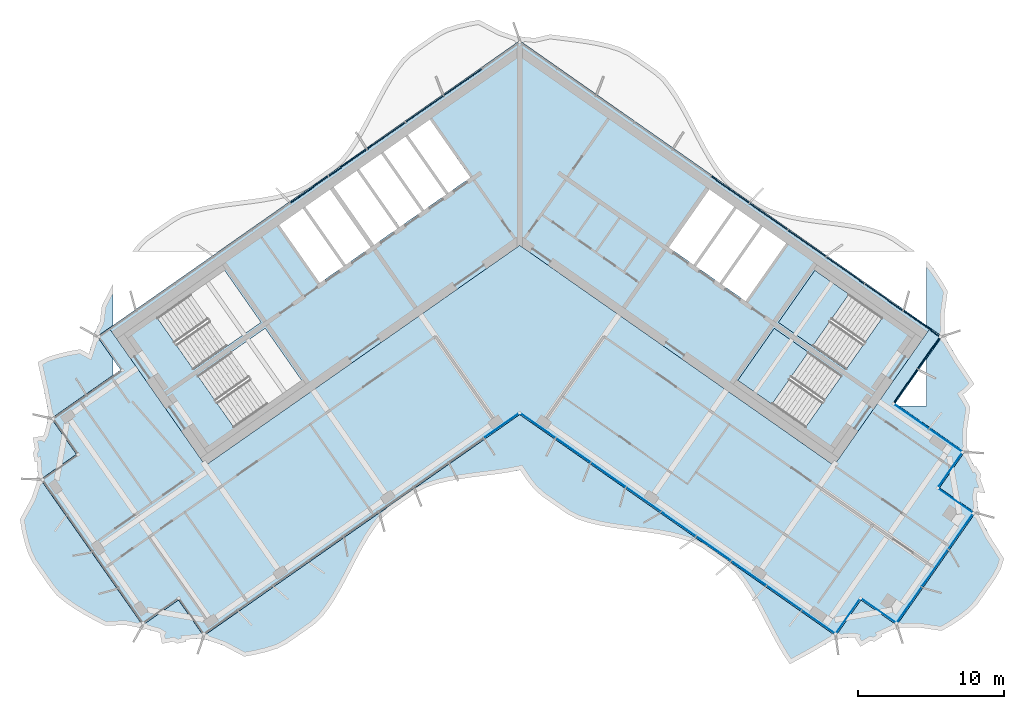
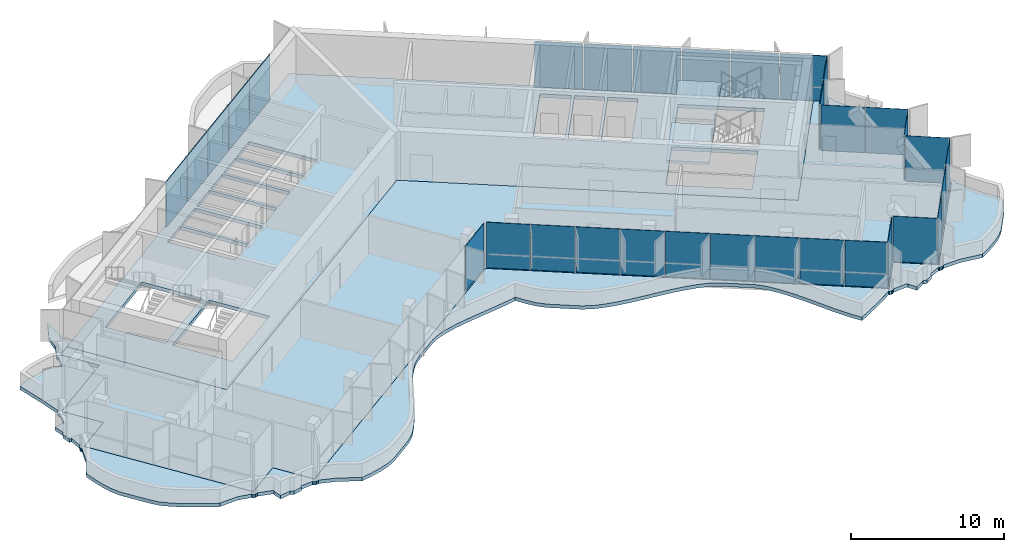
# One storey, part 8 of 18: 32 plates, 5 slabs, 4 elements without a shape of their own.
"""IFC4 building model written with IfcOpenShell, lengths in metres."""

from ifc_helpers import new_model, si_unit, direction, frame, origin, origin_2d, place, context, subcontext, project, spatial, polyline, rectangle, outline, extrude, material, layer, layer_set, type_object, element, aggregate, save


model = new_model("IFC4")

# Units and contexts
model_context = context("Model", 3, precision=1e-05, world=origin(), true_north=direction((0.0, 1.0)))
body_context = subcontext(model_context, "Body", "Model", "MODEL_VIEW")
ifc_project = project(units=[si_unit("LENGTHUNIT", "METRE"), si_unit("AREAUNIT", "SQUARE_METRE"), si_unit("VOLUMEUNIT", "CUBIC_METRE"), si_unit("PLANEANGLEUNIT", "RADIAN"), si_unit("MASSUNIT", "GRAM", prefix="KILO")], contexts=[model_context])

# Site, building, storey
site_placement = place(None, origin())
site = spatial("IfcSite", under=ifc_project, at=site_placement, CompositionType="ELEMENT")
building_placement = place(site_placement, origin())
building = spatial("IfcBuilding", under=site, at=building_placement, Name="Tel Ilan Convention Tower", CompositionType="ELEMENT")
storey_placement = place(building_placement, frame((0.0, 0.0, 268.300048828125)))
storey = spatial("IfcBuildingStorey", under=building, at=storey_placement, Name="L63", CompositionType="ELEMENT", Elevation=268.300048828125)

# Curtain wall, plates
ifc_material_1 = material(Name="Aluminium, bronze anodised", Category="aluminium")
curtain_wall_type_1 = type_object("IfcCurtainWallType", Name="CW2 STICK CURTAIN WALL, SPANDREL PANELS", PredefinedType="NOTDEFINED", material=ifc_material_1)
curtain_wall_1_placement = place(storey_placement, origin())
curtain_wall_1 = element("IfcCurtainWall", 1, at=curtain_wall_1_placement, inside=storey, type_object=curtain_wall_type_1, Name="Curtain wall CW2-48.01", PredefinedType="NOTDEFINED")
ifc_material_2 = material(Name="Aluminium composite panel, bronze anodised", Category="aluminium")
ifc_layer_1 = layer(ifc_material_2, 0.06005859375)
ifc_layer_set_1 = layer_set([ifc_layer_1], Name="CW SPANDREL PANEL 60")
plate_type_1 = type_object("IfcPlateType", Name="CW SPANDREL PANEL 60", PredefinedType="CURTAIN_PANEL", material=ifc_layer_set_1)
plate_1_placement = place(storey_placement, frame((26.45947265625, -10.85400390625, 0.0), z_axis=(0.0, 0.0, 1.0), x_axis=(0.573576436351, 0.819152044289, 0.0)))
plate_1 = element("IfcPlate", 2, at=plate_1_placement, type_object=plate_type_1, Name="Spandrel panel", PredefinedType="CURTAIN_PANEL", context=body_context, shape_type="SweptSolid", body=[
    extrude(rectangle(XDim=2.76904296875, YDim=0.06005859375, at=origin_2d()), origin(), (0.0, 0.0, 1.0), 3.6201171875),
])
plate_2_placement = place(storey_placement, frame((28.042236328125, -8.593505859375, 0.0), z_axis=(0.0, 0.0, 1.0), x_axis=(0.573576436351, 0.819152044289, 0.0)))
plate_2 = element("IfcPlate", 3, at=plate_2_placement, type_object=plate_type_1, Name="Spandrel panel", PredefinedType="CURTAIN_PANEL", context=body_context, shape_type="SweptSolid", body=[
    extrude(rectangle(XDim=2.6298828125, YDim=0.06005859375, at=origin_2d()), origin(), (0.0, 0.0, 1.0), 3.6201171875),
])
plate_3_placement = place(storey_placement, frame((27.5400390625, -6.587646484375, 0.0), z_axis=(0.0, 0.0, 1.0), x_axis=(-0.819152044289, 0.573576436351, 0.0)))
plate_3 = element("IfcPlate", 4, at=plate_3_placement, type_object=plate_type_1, Name="Spandrel panel", PredefinedType="CURTAIN_PANEL", context=body_context, shape_type="SweptSolid", body=[
    extrude(rectangle(XDim=3.0439453125, YDim=0.06005859375, at=origin_2d()), origin(), (0.0, 0.0, 1.0), 3.6201171875),
])
plate_4_placement = place(storey_placement, frame((24.95263671875, -4.77587890625, 0.0), z_axis=(0.0, 0.0, 1.0), x_axis=(-0.819152044289, 0.573576436351, 0.0)))
plate_4 = element("IfcPlate", 5, at=plate_4_placement, type_object=plate_type_1, Name="Spandrel panel", PredefinedType="CURTAIN_PANEL", context=body_context, shape_type="SweptSolid", body=[
    extrude(rectangle(XDim=3.15380859375, YDim=0.06005859375, at=origin_2d()), origin(), (0.0, 0.0, 1.0), 3.6201171875),
])
plate_5_placement = place(storey_placement, frame((22.31982421875, -2.9326171875, 0.0), z_axis=(0.0, 0.0, 1.0), x_axis=(-0.819152044289, 0.573576436351, 0.0)))
plate_5 = element("IfcPlate", 6, at=plate_5_placement, type_object=plate_type_1, Name="Spandrel panel", PredefinedType="CURTAIN_PANEL", context=body_context, shape_type="SweptSolid", body=[
    extrude(rectangle(XDim=3.15380859375, YDim=0.06005859375, at=origin_2d()), origin(), (0.0, 0.0, 1.0), 3.6201171875),
])
plate_6_placement = place(storey_placement, frame((19.687255859375, -1.089111328125, 0.0), z_axis=(0.0, 0.0, 1.0), x_axis=(-0.819152044289, 0.573576436351, 0.0)))
plate_6 = element("IfcPlate", 7, at=plate_6_placement, type_object=plate_type_1, Name="Spandrel panel", PredefinedType="CURTAIN_PANEL", context=body_context, shape_type="SweptSolid", body=[
    extrude(rectangle(XDim=3.15380859375, YDim=0.06005859375, at=origin_2d()), origin(), (0.0, 0.0, 1.0), 3.6201171875),
])
plate_7_placement = place(storey_placement, frame((17.0546875, 0.754150390625, 0.0), z_axis=(0.0, 0.0, 1.0), x_axis=(-0.819152044289, 0.573576436351, 0.0)))
plate_7 = element("IfcPlate", 8, at=plate_7_placement, type_object=plate_type_1, Name="Spandrel panel", PredefinedType="CURTAIN_PANEL", context=body_context, shape_type="SweptSolid", body=[
    extrude(rectangle(XDim=3.15380859375, YDim=0.06005859375, at=origin_2d()), origin(), (0.0, 0.0, 1.0), 3.6201171875),
])
plate_8_placement = place(storey_placement, frame((14.422119140625, 2.59765625, 0.0), z_axis=(0.0, 0.0, 1.0), x_axis=(-0.819152044289, 0.573576436351, 0.0)))
plate_8 = element("IfcPlate", 9, at=plate_8_placement, type_object=plate_type_1, Name="Spandrel panel", PredefinedType="CURTAIN_PANEL", context=body_context, shape_type="SweptSolid", body=[
    extrude(rectangle(XDim=3.15380859375, YDim=0.06005859375, at=origin_2d()), origin(), (0.0, 0.0, 1.0), 3.6201171875),
])
plate_9_placement = place(storey_placement, frame((-3.8916015625, 9.97119140625, 0.0), z_axis=(0.0, 0.0, 1.0), x_axis=(-0.819152044289, -0.573576436351, 0.0)))
plate_9 = element("IfcPlate", 10, at=plate_9_placement, type_object=plate_type_1, Name="Spandrel panel", PredefinedType="CURTAIN_PANEL", context=body_context, shape_type="SweptSolid", body=[
    extrude(rectangle(XDim=3.15380859375, YDim=0.06005859375, at=origin_2d()), origin(), (0.0, 0.0, 1.0), 3.6201171875),
])
plate_10_placement = place(storey_placement, frame((-6.524169921875, 8.127685546875, 0.0), z_axis=(0.0, 0.0, 1.0), x_axis=(-0.819152044289, -0.573576436351, 0.0)))
plate_10 = element("IfcPlate", 11, at=plate_10_placement, type_object=plate_type_1, Name="Spandrel panel", PredefinedType="CURTAIN_PANEL", context=body_context, shape_type="SweptSolid", body=[
    extrude(rectangle(XDim=3.15380859375, YDim=0.06005859375, at=origin_2d()), origin(), (0.0, 0.0, 1.0), 3.6201171875),
])
plate_11_placement = place(storey_placement, frame((-9.15673828125, 6.284423828125, 0.0), z_axis=(0.0, 0.0, 1.0), x_axis=(-0.819152044289, -0.573576436351, 0.0)))
plate_11 = element("IfcPlate", 12, at=plate_11_placement, type_object=plate_type_1, Name="Spandrel panel", PredefinedType="CURTAIN_PANEL", context=body_context, shape_type="SweptSolid", body=[
    extrude(rectangle(XDim=3.15380859375, YDim=0.06005859375, at=origin_2d()), origin(), (0.0, 0.0, 1.0), 3.6201171875),
])
plate_12_placement = place(storey_placement, frame((-11.789306640625, 4.44091796875, 0.0), z_axis=(0.0, 0.0, 1.0), x_axis=(-0.819152044289, -0.573576436351, 0.0)))
plate_12 = element("IfcPlate", 13, at=plate_12_placement, type_object=plate_type_1, Name="Spandrel panel", PredefinedType="CURTAIN_PANEL", context=body_context, shape_type="SweptSolid", body=[
    extrude(rectangle(XDim=3.15380859375, YDim=0.06005859375, at=origin_2d()), origin(), (0.0, 0.0, 1.0), 3.6201171875),
])
plate_13_placement = place(storey_placement, frame((-14.422119140625, 2.59765625, 0.0), z_axis=(0.0, 0.0, 1.0), x_axis=(-0.819152044289, -0.573576436351, 0.0)))
plate_13 = element("IfcPlate", 14, at=plate_13_placement, type_object=plate_type_1, Name="Spandrel panel", PredefinedType="CURTAIN_PANEL", context=body_context, shape_type="SweptSolid", body=[
    extrude(rectangle(XDim=3.15380859375, YDim=0.06005859375, at=origin_2d()), origin(), (0.0, 0.0, 1.0), 3.6201171875),
])
aggregate(curtain_wall_1, [plate_1, plate_2, plate_3, plate_4, plate_5, plate_6, plate_7, plate_8, plate_9, plate_10, plate_11, plate_12, plate_13])

ifc_material_3 = material(Name="Aluminium, bronze anodised", Category="aluminium")
curtain_wall_type_2 = type_object("IfcCurtainWallType", Name="CW5 STICK CURTAIN WALL, UPPER OFFICE LOW-IRON TINTED GLASS", PredefinedType="NOTDEFINED", material=ifc_material_3)
curtain_wall_2_placement = place(storey_placement, origin())
curtain_wall_2 = element("IfcCurtainWall", 15, at=curtain_wall_2_placement, inside=storey, type_object=curtain_wall_type_2, Name="Curtain wall CW5-48.02", PredefinedType="NOTDEFINED")
ifc_material_4 = material(Name="Glass, low-iron bronze tinted, two-ply", Category="glass")
ifc_layer_2 = layer(ifc_material_4, 0.031982421875)
ifc_layer_set_2 = layer_set([ifc_layer_2], Name="CW UPPER GLASS PANEL 32")
plate_type_2 = type_object("IfcPlateType", Name="CW UPPER GLASS PANEL 32", PredefinedType="CURTAIN_PANEL", material=ifc_layer_set_2)
plate_14_placement = place(storey_placement, frame((-1.261474609375, -13.579345703125, 0.0), z_axis=(0.0, 0.0, 1.0), x_axis=(0.819152044289, 0.573576436351, 0.0)))
plate_14 = element("IfcPlate", 16, at=plate_14_placement, type_object=plate_type_2, Name="Glass panel", PredefinedType="CURTAIN_PANEL", context=body_context, shape_type="SweptSolid", body=[
    extrude(rectangle(XDim=2.877685546875, YDim=0.028076171875, at=origin_2d()), origin(), (0.0, 0.0, 1.0), 3.6201171875),
])
plate_15_placement = place(storey_placement, frame((1.27294921875, -13.58740234375, 0.0), z_axis=(0.0, 0.0, 1.0), x_axis=(0.819152044289, -0.573576436351, 0.0)))
plate_15 = element("IfcPlate", 17, at=plate_15_placement, type_object=plate_type_2, Name="Glass panel", PredefinedType="CURTAIN_PANEL", context=body_context, shape_type="SweptSolid", body=[
    extrude(rectangle(XDim=2.849609375, YDim=0.028076171875, at=origin_2d()), origin(), (0.0, 0.0, 1.0), 3.6201171875),
])
plate_16_placement = place(storey_placement, frame((3.668212890625, -15.264404296875, 0.0), z_axis=(0.0, 0.0, 1.0), x_axis=(0.819152044289, -0.573576436351, 0.0)))
plate_16 = element("IfcPlate", 18, at=plate_16_placement, type_object=plate_type_2, Name="Glass panel", PredefinedType="CURTAIN_PANEL", context=body_context, shape_type="SweptSolid", body=[
    extrude(rectangle(XDim=2.878662109375, YDim=0.028076171875, at=origin_2d()), origin(), (0.0, 0.0, 1.0), 3.6201171875),
])
plate_17_placement = place(storey_placement, frame((6.075439453125, -16.949951171875, 0.0), z_axis=(0.0, 0.0, 1.0), x_axis=(0.819152044289, -0.573576436351, 0.0)))
plate_17 = element("IfcPlate", 19, at=plate_17_placement, type_object=plate_type_2, Name="Glass panel", PredefinedType="CURTAIN_PANEL", context=body_context, shape_type="SweptSolid", body=[
    extrude(rectangle(XDim=2.878662109375, YDim=0.028076171875, at=origin_2d()), origin(), (0.0, 0.0, 1.0), 3.6201171875),
])
plate_18_placement = place(storey_placement, frame((8.482666015625, -18.635498046875, 0.0), z_axis=(0.0, 0.0, 1.0), x_axis=(0.819152044289, -0.573576436351, 0.0)))
plate_18 = element("IfcPlate", 20, at=plate_18_placement, type_object=plate_type_2, Name="Glass panel", PredefinedType="CURTAIN_PANEL", context=body_context, shape_type="SweptSolid", body=[
    extrude(rectangle(XDim=2.878662109375, YDim=0.028076171875, at=origin_2d()), origin(), (0.0, 0.0, 1.0), 3.6201171875),
])
plate_19_placement = place(storey_placement, frame((10.8896484375, -20.321044921875, 0.0), z_axis=(0.0, 0.0, 1.0), x_axis=(0.819152044289, -0.573576436351, 0.0)))
plate_19 = element("IfcPlate", 21, at=plate_19_placement, type_object=plate_type_2, Name="Glass panel", PredefinedType="CURTAIN_PANEL", context=body_context, shape_type="SweptSolid", body=[
    extrude(rectangle(XDim=2.878662109375, YDim=0.028076171875, at=origin_2d()), origin(), (0.0, 0.0, 1.0), 3.6201171875),
])
plate_20_placement = place(storey_placement, frame((13.296875, -22.006591796875, 0.0), z_axis=(0.0, 0.0, 1.0), x_axis=(0.819152044289, -0.573576436351, 0.0)))
plate_20 = element("IfcPlate", 22, at=plate_20_placement, type_object=plate_type_2, Name="Glass panel", PredefinedType="CURTAIN_PANEL", context=body_context, shape_type="SweptSolid", body=[
    extrude(rectangle(XDim=2.878662109375, YDim=0.028076171875, at=origin_2d()), origin(), (0.0, 0.0, 1.0), 3.6201171875),
])
plate_21_placement = place(storey_placement, frame((15.7041015625, -23.692138671875, 0.0), z_axis=(0.0, 0.0, 1.0), x_axis=(0.819152044289, -0.573576436351, 0.0)))
plate_21 = element("IfcPlate", 23, at=plate_21_placement, type_object=plate_type_2, Name="Glass panel", PredefinedType="CURTAIN_PANEL", context=body_context, shape_type="SweptSolid", body=[
    extrude(rectangle(XDim=2.878662109375, YDim=0.028076171875, at=origin_2d()), origin(), (0.0, 0.0, 1.0), 3.6201171875),
])
plate_22_placement = place(storey_placement, frame((18.111328125, -25.377685546875, 0.0), z_axis=(0.0, 0.0, 1.0), x_axis=(0.819152044289, -0.573576436351, 0.0)))
plate_22 = element("IfcPlate", 24, at=plate_22_placement, type_object=plate_type_2, Name="Glass panel", PredefinedType="CURTAIN_PANEL", context=body_context, shape_type="SweptSolid", body=[
    extrude(rectangle(XDim=2.878662109375, YDim=0.028076171875, at=origin_2d()), origin(), (0.0, 0.0, 1.0), 3.6201171875),
])
plate_23_placement = place(storey_placement, frame((20.47998046875, -27.036376953125, 0.0), z_axis=(0.0, 0.0, 1.0), x_axis=(0.819152044289, -0.573576436351, 0.0)))
plate_23 = element("IfcPlate", 25, at=plate_23_placement, type_object=plate_type_2, Name="Glass panel", PredefinedType="CURTAIN_PANEL", context=body_context, shape_type="SweptSolid", body=[
    extrude(rectangle(XDim=2.78466796875, YDim=0.028076171875, at=origin_2d()), origin(), (0.0, 0.0, 1.0), 3.6201171875),
])
plate_24_placement = place(storey_placement, frame((22.478515625, -26.651611328125, 0.0), z_axis=(0.0, 0.0, 1.0), x_axis=(0.573576436351, 0.819152044289, 0.0)))
plate_24 = element("IfcPlate", 26, at=plate_24_placement, type_object=plate_type_2, Name="Glass panel", PredefinedType="CURTAIN_PANEL", context=body_context, shape_type="SweptSolid", body=[
    extrude(rectangle(XDim=2.875, YDim=0.028076171875, at=origin_2d()), origin(), (0.0, 0.0, 1.0), 3.6201171875),
])
plate_25_placement = place(storey_placement, frame((24.621337890625, -26.273681640625, 0.0), z_axis=(0.0, 0.0, 1.0), x_axis=(0.819152044289, -0.573576436351, 0.0)))
plate_25 = element("IfcPlate", 27, at=plate_25_placement, type_object=plate_type_2, Name="Glass panel", PredefinedType="CURTAIN_PANEL", context=body_context, shape_type="SweptSolid", body=[
    extrude(rectangle(XDim=2.875, YDim=0.028076171875, at=origin_2d()), origin(), (0.0, 0.0, 1.0), 3.6201171875),
])
plate_26_placement = place(storey_placement, frame((26.6865234375, -25.8720703125, 0.0), z_axis=(0.0, 0.0, 1.0), x_axis=(0.573576436351, 0.819152044289, 0.0)))
plate_26 = element("IfcPlate", 28, at=plate_26_placement, type_object=plate_type_2, Name="Glass panel", PredefinedType="CURTAIN_PANEL", context=body_context, shape_type="SweptSolid", body=[
    extrude(rectangle(XDim=2.979248046875, YDim=0.028076171875, at=origin_2d()), origin(), (0.0, 0.0, 1.0), 3.6201171875),
])
plate_27_placement = place(storey_placement, frame((28.456787109375, -23.343994140625, 0.0), z_axis=(0.0, 0.0, 1.0), x_axis=(0.573576436351, 0.819152044289, 0.0)))
plate_27 = element("IfcPlate", 29, at=plate_27_placement, type_object=plate_type_2, Name="Glass panel", PredefinedType="CURTAIN_PANEL", context=body_context, shape_type="SweptSolid", body=[
    extrude(rectangle(XDim=3.0732421875, YDim=0.028076171875, at=origin_2d()), origin(), (0.0, 0.0, 1.0), 3.6201171875),
])
plate_28_placement = place(storey_placement, frame((30.22705078125, -20.815673828125, 0.0), z_axis=(0.0, 0.0, 1.0), x_axis=(0.573576436351, 0.819152044289, 0.0)))
plate_28 = element("IfcPlate", 30, at=plate_28_placement, type_object=plate_type_2, Name="Glass panel", PredefinedType="CURTAIN_PANEL", context=body_context, shape_type="SweptSolid", body=[
    extrude(rectangle(XDim=2.979248046875, YDim=0.028076171875, at=origin_2d()), origin(), (0.0, 0.0, 1.0), 3.6201171875),
])
plate_29_placement = place(storey_placement, frame((29.898193359375, -18.737548828125, 0.0), z_axis=(0.0, 0.0, 1.0), x_axis=(-0.819152044289, 0.573576436351, 0.0)))
plate_29 = element("IfcPlate", 31, at=plate_29_placement, type_object=plate_type_2, Name="Glass panel", PredefinedType="CURTAIN_PANEL", context=body_context, shape_type="SweptSolid", body=[
    extrude(rectangle(XDim=2.875, YDim=0.028076171875, at=origin_2d()), origin(), (0.0, 0.0, 1.0), 3.6201171875),
])
plate_30_placement = place(storey_placement, frame((29.520263671875, -16.5947265625, 0.0), z_axis=(0.0, 0.0, 1.0), x_axis=(0.573576436351, 0.819152044289, 0.0)))
plate_30 = element("IfcPlate", 32, at=plate_30_placement, type_object=plate_type_2, Name="Glass panel", PredefinedType="CURTAIN_PANEL", context=body_context, shape_type="SweptSolid", body=[
    extrude(rectangle(XDim=2.875, YDim=0.028076171875, at=origin_2d()), origin(), (0.0, 0.0, 1.0), 3.6201171875),
])
plate_31_placement = place(storey_placement, frame((29.21435546875, -14.59619140625, 0.0), z_axis=(0.0, 0.0, 1.0), x_axis=(-0.819152044289, 0.573576436351, 0.0)))
plate_31 = element("IfcPlate", 33, at=plate_31_placement, type_object=plate_type_2, Name="Glass panel", PredefinedType="CURTAIN_PANEL", context=body_context, shape_type="SweptSolid", body=[
    extrude(rectangle(XDim=2.74609375, YDim=0.028076171875, at=origin_2d()), origin(), (0.0, 0.0, 1.0), 3.6201171875),
])
plate_32_placement = place(storey_placement, frame((26.865234375, -12.95166015625, 0.0), z_axis=(0.0, 0.0, 1.0), x_axis=(-0.819152044289, 0.573576436351, 0.0)))
plate_32 = element("IfcPlate", 34, at=plate_32_placement, type_object=plate_type_2, Name="Glass panel", PredefinedType="CURTAIN_PANEL", context=body_context, shape_type="SweptSolid", body=[
    extrude(rectangle(XDim=2.868896484375, YDim=0.028076171875, at=origin_2d()), origin(), (0.0, 0.0, 1.0), 3.6201171875),
])
aggregate(curtain_wall_2, [plate_14, plate_15, plate_16, plate_17, plate_18, plate_19, plate_20, plate_21, plate_22, plate_23, plate_24, plate_25, plate_26, plate_27, plate_28, plate_29, plate_30, plate_31, plate_32])

# Stair, slab
ifc_material_5 = material(Name="Concrete C40/50", Category="concrete")
stair_type = type_object("IfcStairType", Name="Pressurised Exit Stair 22 risers 177 mm", PredefinedType="HALF_TURN_STAIR", material=ifc_material_5)
stair_1_placement = place(storey_placement, origin())
stair_1 = element("IfcStair", 35, at=stair_1_placement, inside=storey, type_object=stair_type, Name="L63 Pressurised Stair S3", PredefinedType="HALF_TURN_STAIR")
ifc_material_6 = material(Name="Concrete C40/50", Category="concrete")
ifc_layer_3 = layer(ifc_material_6, 0.199951171875)
ifc_layer_set_3 = layer_set([ifc_layer_3], Name="Concrete Stair Landing 200 mm C40/50")
slab_type_1 = type_object("IfcSlabType", Name="Concrete Stair Landing 200 mm", PredefinedType="LANDING", material=ifc_layer_set_3)
slab_1_placement = place(storey_placement, frame((0.0, 0.0, 1.75)))
slab_1 = element("IfcSlab", 36, at=slab_1_placement, type_object=slab_type_1, Name="S3 landing 1", PredefinedType="LANDING", context=body_context, shape_type="SweptSolid", body=[
    extrude(outline(polyline([(22.561767578125, -4.566650390625), (20.226318359375, -2.931640625), (17.7314453125, -6.494873046875), (20.066650390625, -8.130126953125), (22.561767578125, -4.566650390625)])), origin(), (0.0, 0.0, 1.0), 0.199951171875),
])
aggregate(stair_1, [slab_1])

stair_2_placement = place(storey_placement, origin())
stair_2 = element("IfcStair", 37, at=stair_2_placement, inside=storey, type_object=stair_type, Name="L63 Pressurised Stair S4", PredefinedType="HALF_TURN_STAIR")
slab_2_placement = place(storey_placement, frame((0.0, 0.0, 1.75)))
slab_2 = element("IfcSlab", 38, at=slab_2_placement, type_object=slab_type_1, Name="S4 landing 1", PredefinedType="LANDING", context=body_context, shape_type="SweptSolid", body=[
    extrude(outline(polyline([(19.77978515625, -8.53955078125), (17.444580078125, -6.904541015625), (14.949462890625, -10.4677734375), (17.28466796875, -12.10302734375), (19.77978515625, -8.53955078125)])), origin(), (0.0, 0.0, 1.0), 0.199951171875),
])
aggregate(stair_2, [slab_2])

# Slabs
ifc_material_7 = material(Name="Concrete C40/50", Category="concrete")
ifc_layer_4 = layer(ifc_material_7, 0.280029296875)
ifc_layer_set_4 = layer_set([ifc_layer_4], Name="Core Floor Slab 280 mm C40/50")
slab_type_2 = type_object("IfcSlabType", Name="Core Floor Slab 280 mm C40/50", PredefinedType="FLOOR", material=ifc_layer_set_4)
slab_3_placement = place(storey_placement, frame((0.0, 0.0, -0.280029296875)))
element("IfcSlab", 39, at=slab_3_placement, inside=storey, type_object=slab_type_2, Name="L63 core floor 1", PredefinedType="FLOOR", context=body_context, shape_type="SweptSolid", body=[
    extrude(outline(polyline([(-28.1396484375, -6.885498046875), (0.0, 12.818115234375), (28.1396484375, -6.885498046875), (21.54345703125, -16.3056640625), (0.0, -1.220703125), (-21.54345703125, -16.3056640625), (-28.1396484375, -6.885498046875)]), holes=[polyline([(-17.444580078125, -6.904541015625), (-22.072021484375, -10.144775390625), (-19.5771484375, -13.7080078125), (-14.949462890625, -10.4677734375), (-17.444580078125, -6.904541015625)]), polyline([(-17.7314453125, -6.494873046875), (-20.226318359375, -2.931640625), (-24.85400390625, -6.171875), (-22.35888671875, -9.735107421875), (-17.7314453125, -6.494873046875)]), polyline([(-14.864990234375, 1.310791015625), (-16.48291015625, 0.177978515625), (-13.701171875, -3.794921875), (-12.083251953125, -2.662109375), (-14.864990234375, 1.310791015625)]), polyline([(-14.701416015625, 1.425537109375), (-11.91943359375, -2.54736328125), (-10.2197265625, -1.357421875), (-13.001708984375, 2.615478515625), (-14.701416015625, 1.425537109375)]), polyline([(-11.168701171875, 3.89892578125), (-12.755859375, 2.78759765625), (-9.97412109375, -1.185302734375), (-8.386962890625, -0.073974609375), (-11.168701171875, 3.89892578125)]), polyline([(-9.499755859375, 5.067626953125), (-11.0048828125, 4.013671875), (-8.222900390625, 0.040771484375), (-6.718017578125, 1.0947265625), (-9.499755859375, 5.067626953125)]), polyline([(-9.3359375, 5.182373046875), (-6.553955078125, 1.20947265625), (-5.048828125, 2.263427734375), (-7.830810546875, 6.236328125), (-9.3359375, 5.182373046875)]), polyline([(17.444580078125, -6.904541015625), (14.949462890625, -10.4677734375), (19.5771484375, -13.7080078125), (22.072021484375, -10.144775390625), (17.444580078125, -6.904541015625)]), polyline([(20.226318359375, -2.931640625), (17.7314453125, -6.494873046875), (22.35888671875, -9.735107421875), (24.85400390625, -6.171875), (20.226318359375, -2.931640625)]), polyline([(15.48291015625, -5.04248046875), (18.2646484375, -1.069580078125), (16.646728515625, 0.063232421875), (13.864990234375, -3.90966796875), (15.48291015625, -5.04248046875)]), polyline([(13.701171875, -3.794921875), (16.48291015625, 0.177978515625), (14.864990234375, 1.310791015625), (12.083251953125, -2.662109375), (13.701171875, -3.794921875)]), polyline([(11.91943359375, -2.54736328125), (14.701416015625, 1.425537109375), (13.001708984375, 2.615478515625), (10.2197265625, -1.357421875), (11.91943359375, -2.54736328125)]), polyline([(-6.16162109375, 7.405029296875), (-7.666748046875, 6.35107421875), (-4.885009765625, 2.378173828125), (-3.3798828125, 3.43212890625), (-6.16162109375, 7.405029296875)])]), origin(), (0.0, 0.0, 1.0), 0.280029296875),
])
ifc_material_8 = material(Name="Concrete C40/50", Category="concrete")
ifc_layer_5 = layer(ifc_material_8, 0.280029296875)
ifc_layer_set_5 = layer_set([ifc_layer_5], Name="Edge Ledge Slab 280 mm C40/50")
slab_type_3 = type_object("IfcSlabType", Name="Edge Ledge Slab 280 mm C40/50", PredefinedType="FLOOR", material=ifc_layer_set_5)
slab_4_placement = place(storey_placement, frame((0.0, 0.0, -0.280029296875)))
element("IfcSlab", 40, at=slab_4_placement, inside=storey, type_object=slab_type_3, Name="L63 edge ledge 1", PredefinedType="FLOOR", context=body_context, shape_type="SweptSolid", body=[
    extrude(outline(polyline([(-22.855224609375, -28.3798828125), (-23.49462890625, -28.5126953125), (-23.728759765625, -28.3701171875), (-24.51416015625, -28.518310546875), (-24.64697265625, -27.87890625), (-24.61669921875, -27.8291015625), (-24.7724609375, -27.73388671875), (-25.6708984375, -27.4970703125), (-25.67431640625, -27.4921875), (-25.728271484375, -27.5283203125), (-25.843017578125, -27.55126953125), (-25.957763671875, -27.5283203125), (-26.05517578125, -27.46337890625), (-26.083984375, -27.420166015625), (-26.088623046875, -27.42333984375), (-27.05419921875, -27.223388671875), (-28.398193359375, -27.288330078125), (-29.12353515625, -26.920166015625), (-29.82373046875, -26.5341796875), (-30.49462890625, -26.1279296875), (-31.125732421875, -25.69384765625), (-31.707763671875, -25.22509765625), (-32.166748046875, -24.670654296875), (-33.401611328125, -22.906982421875), (-33.7158203125, -22.2509765625), (-33.940185546875, -21.531982421875), (-34.1181640625, -20.780517578125), (-34.248779296875, -19.995849609375), (-33.47021484375, -18.574462890625), (-33.08642578125, -17.4296875), (-33.081787109375, -17.426513671875), (-33.117919921875, -17.372314453125), (-33.140625, -17.257568359375), (-33.117919921875, -17.142822265625), (-33.052734375, -17.04541015625), (-33.009521484375, -17.0166015625), (-33.0126953125, -17.011962890625), (-33.085693359375, -16.03955078125), (-33.232666015625, -16.067138671875), (-33.365478515625, -15.427490234375), (-33.22265625, -15.193603515625), (-33.370849609375, -14.408203125), (-32.7314453125, -14.275390625), (-32.681640625, -14.3056640625), (-32.586669921875, -14.14990234375), (-32.349609375, -13.25146484375), (-32.344970703125, -13.248291015625), (-32.381103515625, -13.194091796875), (-32.40380859375, -13.079345703125), (-32.381103515625, -12.964599609375), (-32.31591796875, -12.8671875), (-32.272705078125, -12.83837890625), (-32.27587890625, -12.833740234375), (-32.6083984375, -11.094970703125), (-33.031982421875, -9.225830078125), (-32.382080078125, -8.890380859375), (-31.6572265625, -8.661376953125), (-30.899169921875, -8.47998046875), (-30.110107421875, -8.3427734375), (-29.537353515625, -8.652587890625), (-29.20458984375, -7.631103515625), (-29.199951171875, -7.6279296875), (-29.236083984375, -7.57373046875), (-29.2587890625, -7.458984375), (-29.236083984375, -7.34423828125), (-29.1708984375, -7.246826171875), (-29.127685546875, -7.218017578125), (-29.130859375, -7.21337890625), (-28.772216796875, -6.441650390625), (-28.635009765625, -5.353515625), (-28.252685546875, -4.614990234375), (-27.875, -3.881103515625), (-27.875, -6.7001953125), (-28.958740234375, -7.458984375), (-27.875, -9.007080078125), (-27.875, -10.1181640625), (-32.10400390625, -13.079345703125), (-30.383056640625, -15.536865234375), (-32.840576171875, -17.257568359375), (-25.843017578125, -27.251220703125), (-23.385498046875, -25.530517578125), (-21.664794921875, -27.988037109375), (0.0, -12.818115234375), (21.664794921875, -27.988037109375), (23.385498046875, -25.530517578125), (25.843017578125, -27.251220703125), (31.234619140625, -19.55126953125), (28.777099609375, -17.83056640625), (30.497802734375, -15.373046875), (26.023681640625, -12.239990234375), (27.875, -12.239990234375), (27.875, -9.007080078125), (28.958740234375, -7.458984375), (27.875, -6.7001953125), (27.875, -2.269287109375), (28.0107421875, -2.392578125), (28.48388671875, -3.001220703125), (28.922119140625, -3.6591796875), (29.331298828125, -4.35888671875), (29.109619140625, -5.95947265625), (29.130859375, -7.21337890625), (29.127685546875, -7.218017578125), (29.1708984375, -7.246826171875), (29.236083984375, -7.34423828125), (29.2587890625, -7.458984375), (29.236083984375, -7.57373046875), (29.199951171875, -7.6279296875), (29.20458984375, -7.631103515625), (30.056640625, -9.082275390625), (31.151123046875, -10.703125), (30.66748046875, -11.218994140625), (30.3720703125, -11.4404296875), (30.48095703125, -11.605224609375), (30.879638671875, -12.2998046875), (30.642822265625, -13.902099609375), (30.669921875, -15.127197265625), (30.666748046875, -15.132080078125), (30.7099609375, -15.160888671875), (30.77490234375, -15.25830078125), (30.7978515625, -15.373046875), (30.77490234375, -15.48779296875), (30.739013671875, -15.541748046875), (30.74365234375, -15.545166015625), (31.182861328125, -16.411376953125), (31.2734375, -16.357666015625), (31.616943359375, -16.9130859375), (31.555419921875, -17.218994140625), (31.9052734375, -18.189697265625), (31.373779296875, -18.122802734375), (31.322021484375, -18.380126953125), (31.40673828125, -19.305419921875), (31.4033203125, -19.31005859375), (31.44677734375, -19.339111328125), (31.51171875, -19.436279296875), (31.53466796875, -19.55126953125), (31.51171875, -19.666015625), (31.4755859375, -19.719970703125), (31.480224609375, -19.723388671875), (32.166015625, -21.086181640625), (33.192138671875, -22.687255859375), (32.962646484375, -23.409423828125), (32.6064453125, -24.042724609375), (31.3623046875, -25.819580078125), (30.856201171875, -26.347900390625), (30.25439453125, -26.809326171875), (29.60546875, -27.237548828125), (28.91162109375, -27.634521484375), (27.309326171875, -27.395263671875), (26.088623046875, -27.42333984375), (26.083984375, -27.420166015625), (26.05517578125, -27.46337890625), (25.957763671875, -27.5283203125), (25.843017578125, -27.55126953125), (25.728271484375, -27.5283203125), (25.67431640625, -27.4921875), (25.6708984375, -27.4970703125), (24.7822265625, -27.898193359375), (24.8583984375, -28.02685546875), (24.302978515625, -28.3701171875), (24.0341796875, -28.31640625), (23.3466796875, -28.72412109375), (23.00341796875, -28.168701171875), (23.0146484375, -28.111328125), (22.835693359375, -28.075439453125), (21.910400390625, -28.16015625), (21.906005859375, -28.15673828125), (21.876953125, -28.2001953125), (21.779541015625, -28.26513671875), (21.664794921875, -28.2880859375), (21.550048828125, -28.26513671875), (21.49609375, -28.22900390625), (21.49267578125, -28.233642578125), (19.969482421875, -29.128173828125), (18.5185546875, -29.919677734375), (18.077880859375, -29.268310546875), (17.6669921875, -28.573974609375), (17.27587890625, -27.851806640625), (16.894775390625, -27.115234375), (16.51416015625, -26.377685546875), (16.12451171875, -25.653564453125), (15.71630859375, -24.955810546875), (15.28125, -24.29638671875), (14.811767578125, -23.685791015625), (14.27099609375, -23.177001953125), (12.4658203125, -21.9130859375), (11.811767578125, -21.56591796875), (11.080810546875, -21.329345703125), (10.314697265625, -21.142333984375), (9.521240234375, -20.99462890625), (8.70849609375, -20.87451171875), (7.885986328125, -20.7685546875), (7.06298828125, -20.6630859375), (6.24951171875, -20.5439453125), (5.45458984375, -20.398193359375), (4.68701171875, -20.213623046875), (3.953857421875, -19.979736328125), (3.2939453125, -19.6416015625), (1.488525390625, -18.377197265625), (0.94189453125, -17.877197265625), (0.470458984375, -17.269775390625), (0.03369140625, -16.61279296875), (0.033203125, -16.6123046875), (-0.023681640625, -16.626708984375), (-0.816650390625, -16.775146484375), (-1.62890625, -16.895751953125), (-2.45166015625, -17.001953125), (-3.274658203125, -17.107421875), (-4.08837890625, -17.225830078125), (-4.8837890625, -17.370849609375), (-5.65234375, -17.55419921875), (-6.386474609375, -17.78662109375), (-7.049560546875, -18.12060546875), (-8.85498046875, -19.384521484375), (-9.404541015625, -19.880615234375), (-9.877197265625, -20.486572265625), (-10.314697265625, -21.142333984375), (-10.724853515625, -21.83740234375), (-11.11572265625, -22.56005859375), (-11.49658203125, -23.296875), (-11.877197265625, -24.0341796875), (-12.267333984375, -24.7578125), (-12.67626953125, -25.454833984375), (-13.1123046875, -26.113037109375), (-13.582763671875, -26.721923828125), (-14.12646484375, -27.226318359375), (-15.931884765625, -28.490478515625), (-16.588623046875, -28.833251953125), (-17.32080078125, -29.068603515625), (-18.08740234375, -29.25439453125), (-18.88330078125, -29.3984375), (-20.311279296875, -28.64013671875), (-21.49267578125, -28.233642578125), (-21.49609375, -28.22900390625), (-21.550048828125, -28.26513671875), (-21.664794921875, -28.2880859375), (-21.779541015625, -28.26513671875), (-21.876953125, -28.2001953125), (-21.906005859375, -28.15673828125), (-21.910400390625, -28.16015625), (-22.8828125, -28.233154296875), (-22.855224609375, -28.3798828125)])), origin(), (0.0, 0.0, 1.0), 0.280029296875),
])
ifc_material_9 = material(Name="Concrete C40/50", Category="concrete")
ifc_layer_6 = layer(ifc_material_9, 0.280029296875)
ifc_layer_set_6 = layer_set([ifc_layer_6], Name="Flat Plate Floor Slab 280 mm C40/50")
slab_type_4 = type_object("IfcSlabType", Name="Flat Plate Floor Slab 280 mm C40/50", PredefinedType="FLOOR", material=ifc_layer_set_6)
slab_5_placement = place(storey_placement, frame((0.0, 0.0, -0.280029296875)))
element("IfcSlab", 41, at=slab_5_placement, inside=storey, type_object=slab_type_4, Name="L63 floor slab", PredefinedType="FLOOR", context=body_context, shape_type="SweptSolid", body=[
    extrude(outline(polyline([(21.54345703125, -16.3056640625), (28.1396484375, -6.885498046875), (28.958740234375, -7.458984375), (25.746826171875, -12.04638671875), (30.497802734375, -15.373046875), (28.777099609375, -17.83056640625), (31.234619140625, -19.55126953125), (25.843017578125, -27.251220703125), (23.385498046875, -25.530517578125), (21.664794921875, -27.988037109375), (0.0, -12.818115234375), (-21.664794921875, -27.988037109375), (-23.385498046875, -25.530517578125), (-25.843017578125, -27.251220703125), (-32.840576171875, -17.257568359375), (-30.383056640625, -15.536865234375), (-32.10400390625, -13.079345703125), (-27.352783203125, -9.752685546875), (-28.958740234375, -7.458984375), (-28.1396484375, -6.885498046875), (-21.54345703125, -16.3056640625), (0.0, -1.220703125), (21.54345703125, -16.3056640625)])), origin(), (0.0, 0.0, 1.0), 0.280029296875),
])

save(model, "model.ifc")
